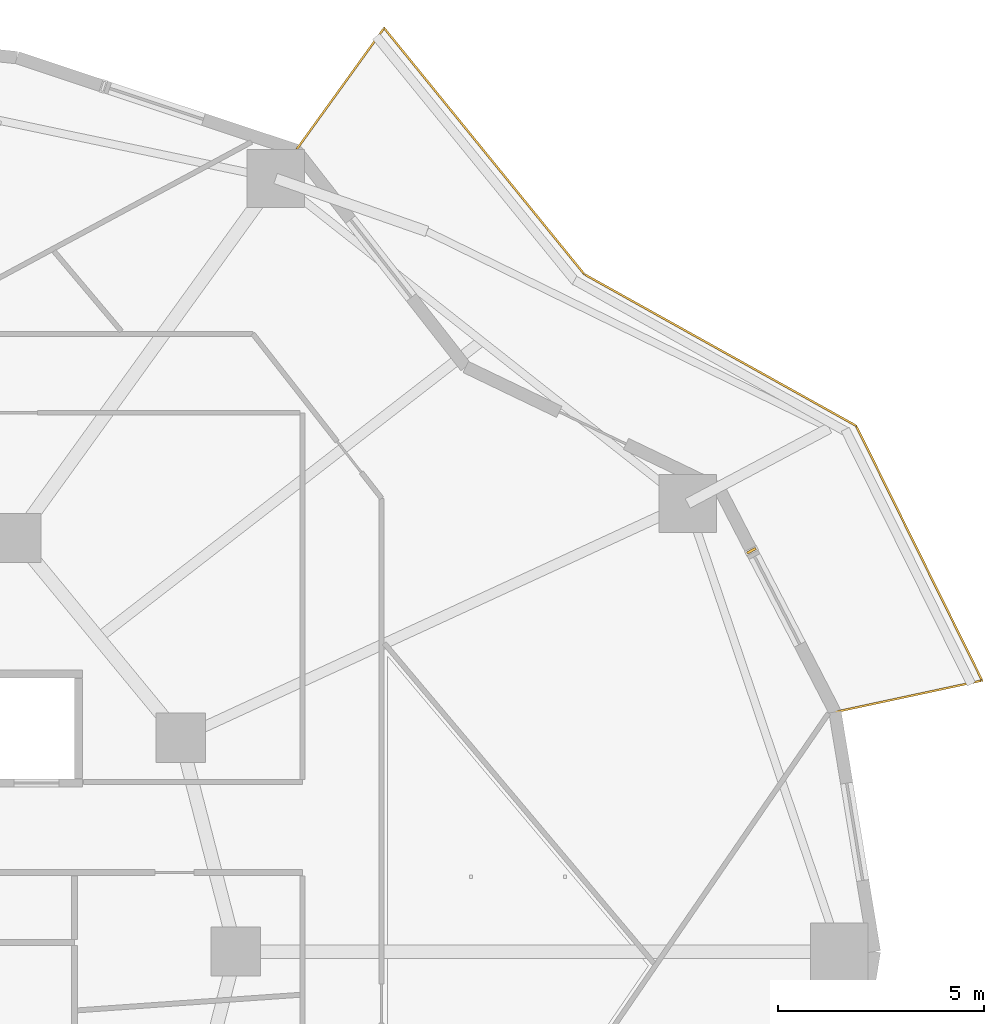
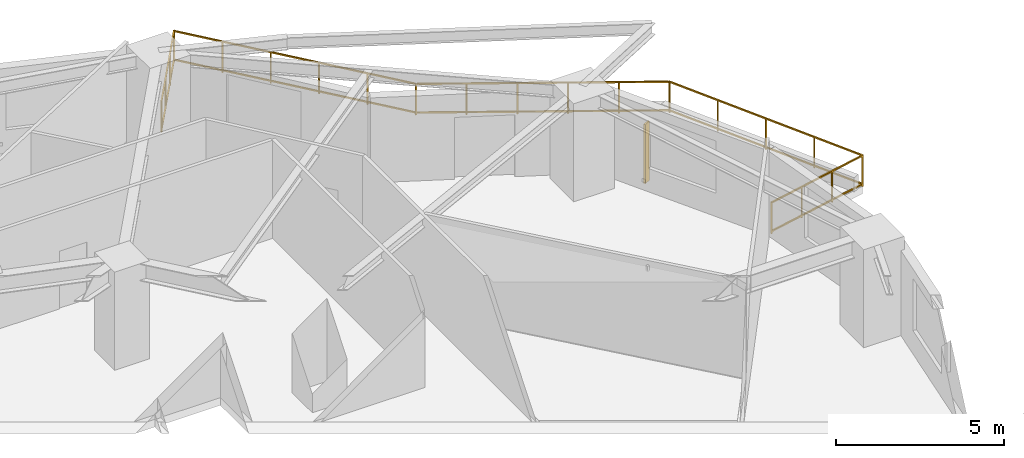
# One storey, part 19 of 19: 1 railing, 1 shading device.
"""IFC4 building model written with IfcOpenShell, lengths in metres."""

from ifc_helpers import new_model, si_unit, direction, frame, origin, origin_2d, place, context, subcontext, project, spatial, rectangle, extrude, material, type_object, element, save


model = new_model("IFC4")

# Units and contexts
model_context = context("Model", 3, precision=1e-05, world=origin(), true_north=direction((0.0, 1.0)))
body_context = subcontext(model_context, "Body", "Model", "MODEL_VIEW")
ifc_project = project(units=[si_unit("LENGTHUNIT", "METRE"), si_unit("AREAUNIT", "SQUARE_METRE"), si_unit("VOLUMEUNIT", "CUBIC_METRE"), si_unit("PLANEANGLEUNIT", "RADIAN"), si_unit("MASSUNIT", "GRAM", prefix="KILO")], contexts=[model_context])

# Site, building, storey
site_placement = place(None, origin())
site = spatial("IfcSite", under=ifc_project, at=site_placement, CompositionType="ELEMENT")
building_placement = place(site_placement, origin())
building = spatial("IfcBuilding", under=site, at=building_placement, Name="Kolvaren Gate Tower and Convention Centre", CompositionType="ELEMENT")
storey_placement = place(building_placement, frame((0.0, 0.0, 38.050048828125)))
storey = spatial("IfcBuildingStorey", under=building, at=storey_placement, Name="L08", CompositionType="ELEMENT", Elevation=38.050048828125)

# Railing
ifc_material_1 = material(Name="Brushed Stainless Steel Grade 316L", Category="steel")
railing_type = type_object("IfcRailingType", Name="ARCH-RL-GUARD-1150", PredefinedType="GUARDRAIL", material=ifc_material_1)
railing_placement = place(storey_placement, frame((57.291748046875, 32.823486328125, 0.0)))
element("IfcRailing", 1, at=railing_placement, inside=storey, type_object=railing_type, Name="Tower L08 Terrace Perimeter Guardrail GR-1", PredefinedType="GUARDRAIL", context=body_context, shape_type="SweptSolid", body=[
    extrude(rectangle(XDim=0.048095703125, YDim=0.048095703125, at=origin_2d()), frame((0.02734375, 0.005859375, 1.1259765625), z_axis=(0.977788745232, 0.209592866525, 0.0), x_axis=(-0.209592866525, 0.977788745232, 0.0)), (0.0, 0.0, 1.0), 3.603759765625),
    extrude(rectangle(XDim=0.048095703125, YDim=0.048095703125, at=origin_2d()), frame((0.02734375, 0.005859375, 0.083984375), z_axis=(0.977788745232, 0.209592866525, 0.0), x_axis=(-0.209592866525, 0.977788745232, 0.0)), (0.0, 0.0, 1.0), 3.603759765625),
    extrude(rectangle(XDim=0.048095703125, YDim=0.048095703125, at=origin_2d()), frame((3.566162109375, 0.792236328125, 1.1259765625), z_axis=(-0.443578479433, 0.8962355341, 0.0), x_axis=(-0.8962355341, -0.443578479433, 0.0)), (0.0, 0.0, 1.0), 6.855224609375),
    extrude(rectangle(XDim=0.048095703125, YDim=0.048095703125, at=origin_2d()), frame((3.566162109375, 0.792236328125, 0.083984375), z_axis=(-0.443578479433, 0.8962355341, 0.0), x_axis=(-0.8962355341, -0.443578479433, 0.0)), (0.0, 0.0, 1.0), 6.855224609375),
    extrude(rectangle(XDim=0.048095703125, YDim=0.048095703125, at=origin_2d()), frame((0.488525390625, 6.974853515625, 1.1259765625), z_axis=(-0.873486390754, 0.486848564923, 0.0), x_axis=(-0.486848564923, -0.873486390754, 0.0)), (0.0, 0.0, 1.0), 7.506103515625),
    extrude(rectangle(XDim=0.048095703125, YDim=0.048095703125, at=origin_2d()), frame((0.488525390625, 6.974853515625, 0.083984375), z_axis=(-0.873486390754, 0.486848564923, 0.0), x_axis=(-0.486848564923, -0.873486390754, 0.0)), (0.0, 0.0, 1.0), 7.506103515625),
    extrude(rectangle(XDim=0.048095703125, YDim=0.048095703125, at=origin_2d()), frame((-6.110107421875, 10.66455078125, 1.1259765625), z_axis=(-0.631012936188, 0.775772308324, 0.0), x_axis=(-0.775772308324, -0.631012936188, 0.0)), (0.0, 0.0, 1.0), 7.661376953125),
    extrude(rectangle(XDim=0.048095703125, YDim=0.048095703125, at=origin_2d()), frame((-6.110107421875, 10.66455078125, 0.083984375), z_axis=(-0.631012936188, 0.775772308324, 0.0), x_axis=(-0.775772308324, -0.631012936188, 0.0)), (0.0, 0.0, 1.0), 7.661376953125),
    extrude(rectangle(XDim=0.048095703125, YDim=0.048095703125, at=origin_2d()), frame((-10.978759765625, 16.607177734375, 1.1259765625), z_axis=(-0.585212870465, -0.810879705161, 0.0), x_axis=(0.810879705161, -0.585212870465, 0.0)), (0.0, 0.0, 1.0), 3.603759765625),
    extrude(rectangle(XDim=0.048095703125, YDim=0.048095703125, at=origin_2d()), frame((-10.978759765625, 16.607177734375, 0.083984375), z_axis=(-0.585212870465, -0.810879705161, 0.0), x_axis=(0.810879705161, -0.585212870465, 0.0)), (0.0, 0.0, 1.0), 3.603759765625),
    extrude(rectangle(XDim=0.0419921875, YDim=0.0419921875, at=origin_2d()), origin(), (0.0, 0.0, 1.0), 1.14990234375),
    extrude(rectangle(XDim=0.0419921875, YDim=0.0419921875, at=origin_2d()), frame((3.57861328125, 0.76708984375, 0.0)), (0.0, 0.0, 1.0), 1.14990234375),
    extrude(rectangle(XDim=0.0419921875, YDim=0.0419921875, at=origin_2d()), frame((1.19287109375, 0.255615234375, 0.0)), (0.0, 0.0, 1.0), 1.099853515625),
    extrude(rectangle(XDim=0.0419921875, YDim=0.0419921875, at=origin_2d()), frame((2.3857421875, 0.511474609375, 0.0)), (0.0, 0.0, 1.0), 1.099853515625),
    extrude(rectangle(XDim=0.0419921875, YDim=0.0419921875, at=origin_2d()), frame((0.512939453125, 6.961181640625, 0.0)), (0.0, 0.0, 1.0), 1.14990234375),
    extrude(rectangle(XDim=0.0419921875, YDim=0.0419921875, at=origin_2d()), frame((2.812255859375, 2.315673828125, 0.0)), (0.0, 0.0, 1.0), 1.099853515625),
    extrude(rectangle(XDim=0.0419921875, YDim=0.0419921875, at=origin_2d()), frame((2.0458984375, 3.8642578125, 0.0)), (0.0, 0.0, 1.0), 1.099853515625),
    extrude(rectangle(XDim=0.0419921875, YDim=0.0419921875, at=origin_2d()), frame((1.279296875, 5.41259765625, 0.0)), (0.0, 0.0, 1.0), 1.099853515625),
    extrude(rectangle(XDim=0.0419921875, YDim=0.0419921875, at=origin_2d()), frame((-6.092529296875, 10.642822265625, 0.0)), (0.0, 0.0, 1.0), 1.14990234375),
    extrude(rectangle(XDim=0.0419921875, YDim=0.0419921875, at=origin_2d()), frame((-0.80810546875, 7.697509765625, 0.0)), (0.0, 0.0, 1.0), 1.099853515625),
    extrude(rectangle(XDim=0.0419921875, YDim=0.0419921875, at=origin_2d()), frame((-2.129150390625, 8.433837890625, 0.0)), (0.0, 0.0, 1.0), 1.099853515625),
    extrude(rectangle(XDim=0.0419921875, YDim=0.0419921875, at=origin_2d()), frame((-3.450439453125, 9.170166015625, 0.0)), (0.0, 0.0, 1.0), 1.099853515625),
    extrude(rectangle(XDim=0.0419921875, YDim=0.0419921875, at=origin_2d()), frame((-4.771484375, 9.906494140625, 0.0)), (0.0, 0.0, 1.0), 1.099853515625),
    extrude(rectangle(XDim=0.0419921875, YDim=0.0419921875, at=origin_2d()), frame((-10.96240234375, 16.6298828125, 0.0)), (0.0, 0.0, 1.0), 1.14990234375),
    extrude(rectangle(XDim=0.0419921875, YDim=0.0419921875, at=origin_2d()), frame((-7.06640625, 11.84033203125, 0.0)), (0.0, 0.0, 1.0), 1.099853515625),
    extrude(rectangle(XDim=0.0419921875, YDim=0.0419921875, at=origin_2d()), frame((-8.04052734375, 13.03759765625, 0.0)), (0.0, 0.0, 1.0), 1.099853515625),
    extrude(rectangle(XDim=0.0419921875, YDim=0.0419921875, at=origin_2d()), frame((-9.014404296875, 14.235107421875, 0.0)), (0.0, 0.0, 1.0), 1.099853515625),
    extrude(rectangle(XDim=0.0419921875, YDim=0.0419921875, at=origin_2d()), frame((-9.988525390625, 15.432373046875, 0.0)), (0.0, 0.0, 1.0), 1.099853515625),
    extrude(rectangle(XDim=0.0419921875, YDim=0.0419921875, at=origin_2d()), frame((-13.104248046875, 13.662109375, 0.0)), (0.0, 0.0, 1.0), 1.14990234375),
    extrude(rectangle(XDim=0.0419921875, YDim=0.0419921875, at=origin_2d()), frame((-11.67626953125, 15.640625, 0.0)), (0.0, 0.0, 1.0), 1.099853515625),
    extrude(rectangle(XDim=0.0419921875, YDim=0.0419921875, at=origin_2d()), frame((-12.390380859375, 14.6513671875, 0.0)), (0.0, 0.0, 1.0), 1.099853515625),
])

# Shading device
ifc_material_2 = material(Name="Kiln-Fired Bogota Terracotta Ceramic Louvre Profile", Category="masonry")
shading_device_type = type_object("IfcShadingDeviceType", Name="ARCH-SHD-FIN-180", PredefinedType="JALOUSIE", material=ifc_material_2)
shading_device_placement = place(storey_placement, frame((55.26123046875, 36.744873046875, 0.219970703125), z_axis=(0.0, 0.0, 1.0), x_axis=(0.459789110083, -0.888028138208, 0.0)))
element("IfcShadingDevice", 2, at=shading_device_placement, inside=storey, type_object=shading_device_type, Name="Ceramic Vertical Brise-Soleil Fin FN-L08-01", PredefinedType="JALOUSIE", context=body_context, shape_type="SweptSolid", body=[
    extrude(rectangle(XDim=0.06005859375, YDim=0.239990234375, at=origin_2d()), origin(), (0.0, 0.0, 1.0), 2.14990234375),
])

save(model, "model.ifc")
